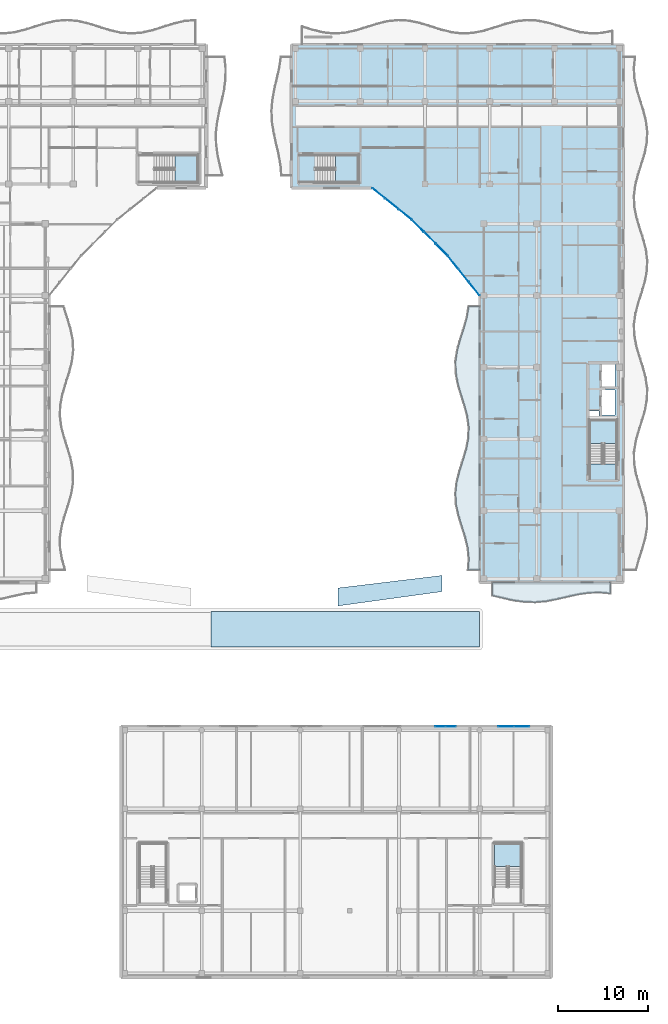
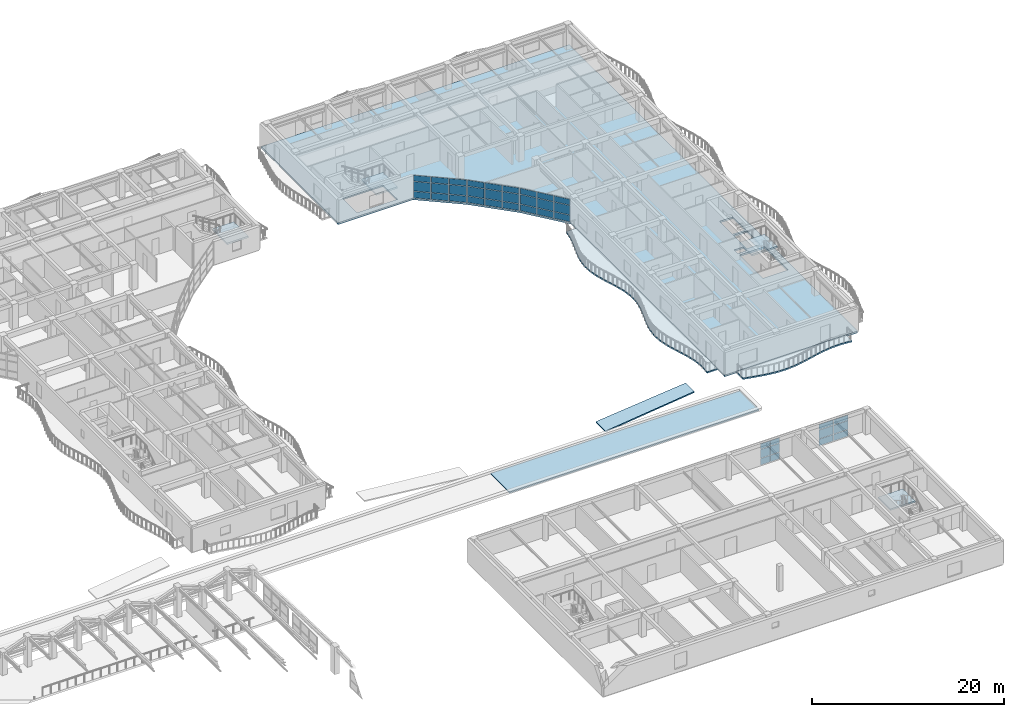
# One storey, part 77 of 128: 39 plates, 9 slabs, 9 elements without a shape of their own.
"""IFC4 building model written with IfcOpenShell, lengths in metres."""

import ifcopenshell
import ifcopenshell.guid

model = None  # the IFC model being written
_history = None  # IfcOwnerHistory: only IFC2X3 demands one
_inside = {}  # id of a spatial element -> (the spatial element, [elements in it])
_under = {}  # id of a project, library or spatial element -> (it, [spatial elements below it])
_declared = {}  # id of a project -> (the project, [libraries it declares])
_typed = {}  # id of a type object -> (the type object, [elements of that type])
_made_of = {}  # id of a material, layer set ... -> (it, [elements and type objects made of it])


def new_model(schema):
    """Start an empty IFC model of exactly this schema.

    Asked for "IFC4X3", IfcOpenShell would pick the latest addendum, in which some entities
    have other attributes; the version numbers below select the first issue.
    IFC2X3 requires an IfcOwnerHistory on every rooted entity: one is made here for all.
    """
    global model, _history
    if schema == "IFC4X3":
        model = ifcopenshell.file(schema_version=(4, 3, 0, 0))
    else:
        model = ifcopenshell.file(schema=schema)
    _inside.clear()
    _under.clear()
    _declared.clear()
    _typed.clear()
    _made_of.clear()
    _history = None
    if model.schema == "IFC2X3":
        org = make("IfcOrganization", Name="unknown")
        user = make(
            "IfcPersonAndOrganization",
            ThePerson=make("IfcPerson", FamilyName="unknown"),
            TheOrganization=org,
        )
        app = make(
            "IfcApplication",
            ApplicationDeveloper=org,
            Version="unknown",
            ApplicationFullName="unknown",
            ApplicationIdentifier="unknown",
        )
        _history = make(
            "IfcOwnerHistory",
            OwningUser=user,
            OwningApplication=app,
            ChangeAction="ADDED",
            CreationDate=0,
        )
    return model


def make(cls, **values):
    """One entity of the class cls with the attributes given. An attribute that is None is left unset."""
    return model.create_entity(
        cls, **{name: value for name, value in values.items() if value is not None}
    )


def rooted(cls, **values):
    """An entity with a GlobalId (a new one), such as an element, a storey or a relation."""
    return make(cls, GlobalId=ifcopenshell.guid.new(), OwnerHistory=_history, **values)


def si_unit(unit_type, name, prefix=None):
    """IfcSIUnit, for example si_unit("LENGTHUNIT", "METRE", prefix="MILLI")."""
    return make("IfcSIUnit", UnitType=unit_type, Prefix=prefix, Name=name)


def assignment(units):
    """IfcUnitAssignment: the units of a project."""
    return None if units is None else make("IfcUnitAssignment", Units=units)


def point(xyz):
    """IfcCartesianPoint."""
    return None if xyz is None else make("IfcCartesianPoint", Coordinates=xyz)


def direction(xyz):
    """IfcDirection."""
    return None if xyz is None else make("IfcDirection", DirectionRatios=xyz)


def frame(location, z_axis=None, x_axis=None):
    """IfcAxis2Placement3D, a coordinate frame: its origin and axes. An axis left out is left unset."""
    return make(
        "IfcAxis2Placement3D",
        Location=point(location),
        Axis=direction(z_axis),
        RefDirection=direction(x_axis),
    )


def frame_2d(location, x_axis=None):
    """IfcAxis2Placement2D, a coordinate frame in the plane: its origin and x axis."""
    return make(
        "IfcAxis2Placement2D", Location=point(location), RefDirection=direction(x_axis)
    )


def origin():
    """The frame at (0, 0, 0) with its axes left unset."""
    return frame((0.0, 0.0, 0.0))


def origin_2d():
    """The frame at (0, 0) in the plane with its x axis left unset."""
    return frame_2d((0.0, 0.0))


def place(relative_to, where):
    """IfcLocalPlacement: puts the frame where relative to a parent placement (None: the world)."""
    return make(
        "IfcLocalPlacement", PlacementRelTo=relative_to, RelativePlacement=where
    )


def context(
    kind, dimensions, precision=None, world=None, true_north=None, identifier=None
):
    """IfcGeometricRepresentationContext, for example the 3D "Model" context."""
    return make(
        "IfcGeometricRepresentationContext",
        ContextIdentifier=identifier,
        ContextType=kind,
        CoordinateSpaceDimension=dimensions,
        Precision=precision,
        WorldCoordinateSystem=world,
        TrueNorth=true_north,
    )


def subcontext(parent, identifier, kind, view, scale=None):
    """IfcGeometricRepresentationSubContext, for example "Body" below "Model"."""
    return make(
        "IfcGeometricRepresentationSubContext",
        ContextIdentifier=identifier,
        ContextType=kind,
        ParentContext=parent,
        TargetScale=scale,
        TargetView=view,
    )


def project(units=None, contexts=None):
    """IfcProject with its units and contexts."""
    return rooted(
        "IfcProject",
        Name="project",
        RepresentationContexts=contexts,
        UnitsInContext=assignment(units),
    )


def spatial(cls, under=None, at=None, **own):
    """A site, building, storey or space (cls), placed at a placement, below another one or the project."""
    s = rooted(cls, ObjectPlacement=at, **own)
    if under is not None:
        _under.setdefault(under.id(), (under, []))[1].append(s)
    return s


def polyline(points):
    """IfcPolyline through the points."""
    return make("IfcPolyline", Points=[point(p) for p in points])


def profile(cls, at=None, kind="AREA", **sizes):
    """A parametric profile (cls). Its sizes go by their IFC names, for example OverallWidth=200.0."""
    return make(cls, ProfileType=kind, Position=at, **sizes)


def rectangle(**sizes):
    """IfcRectangleProfileDef."""
    return profile("IfcRectangleProfileDef", **sizes)


def outline(outer, holes=None, kind="AREA"):
    """IfcArbitraryClosedProfileDef: a profile drawn as a closed curve; with holes, ...WithVoids."""
    if holes is None:
        return make("IfcArbitraryClosedProfileDef", ProfileType=kind, OuterCurve=outer)
    return make(
        "IfcArbitraryProfileDefWithVoids",
        ProfileType=kind,
        OuterCurve=outer,
        InnerCurves=holes,
    )


def extrude(swept, where, along, depth):
    """IfcExtrudedAreaSolid: the profile swept, set in the frame where, extruded along a direction by depth."""
    return make(
        "IfcExtrudedAreaSolid",
        SweptArea=swept,
        Position=where,
        ExtrudedDirection=direction(along),
        Depth=depth,
    )


def shape(context_of_items, identifier, shape_type, items):
    """IfcShapeRepresentation: the items that make up one representation, for example the "Body"."""
    return make(
        "IfcShapeRepresentation",
        ContextOfItems=context_of_items,
        RepresentationIdentifier=identifier,
        RepresentationType=shape_type,
        Items=items,
    )


def material(Name=None, Category=None):
    """IfcMaterial."""
    return make("IfcMaterial", Name=Name, Category=Category)


def layer(
    of_material, thickness, ventilated=None, Name=None, Category=None, Priority=None
):
    """IfcMaterialLayer: one layer of a wall or slab, of a material (None: an air gap)."""
    return make(
        "IfcMaterialLayer",
        Material=of_material,
        LayerThickness=thickness,
        IsVentilated=ventilated,
        Name=Name,
        Category=Category,
        Priority=Priority,
    )


def layer_set(layers, Name=None):
    """IfcMaterialLayerSet."""
    return make("IfcMaterialLayerSet", MaterialLayers=layers, LayerSetName=Name)


def made_of(thing, what):
    """Note that an element or type object is made of a material, layer set ...; save() writes the relation."""
    if what is not None:
        _made_of.setdefault(what.id(), (what, []))[1].append(thing)
    return thing


def type_object(cls, material=None, **own):
    """A type object (cls), such as IfcWallType, which elements share."""
    return made_of(rooted(cls, **own), material)


def element(
    cls,
    number,
    at=None,
    inside=None,
    cuts=None,
    type_object=None,
    material=None,
    context=None,
    identifier="Body",
    shape_type=None,
    held_by="IfcProductDefinitionShape",
    body=None,
    shapes=None,
    **own,
):
    """One element of the class cls, such as IfcWall. Its Tag is "e" and its number.

    at: its placement. inside: the storey or other place that contains it. cuts: it is an
    opening in that element (IfcRelVoidsElement). A single representation is given by context,
    identifier, shape_type and body (its items); several are given by shapes. held_by: the class
    of the entity that holds the representations. save() writes the other relations.
    """
    e = rooted(cls, Tag="e%d" % number, ObjectPlacement=at, **own)
    if body is not None:
        shapes = [shape(context, identifier, shape_type, body)]
    if shapes is not None:
        e.Representation = make(held_by, Representations=shapes)
    if inside is not None:
        _inside.setdefault(inside.id(), (inside, []))[1].append(e)
    if cuts is not None:
        rooted(
            "IfcRelVoidsElement", RelatingBuildingElement=cuts, RelatedOpeningElement=e
        )
    if type_object is not None:
        _typed.setdefault(type_object.id(), (type_object, []))[1].append(e)
    return made_of(e, material)


def aggregate(whole, parts):
    """IfcRelAggregates: a whole, such as a stair, and the parts it consists of."""
    return rooted("IfcRelAggregates", RelatingObject=whole, RelatedObjects=parts)


def save(model, path):
    """Write the relations noted so far, then the file.

    IfcRelAggregates (storeys below a building ...), IfcRelContainedInSpatialStructure (elements
    in a storey), IfcRelDefinesByType, IfcRelAssociatesMaterial and IfcRelDeclares: one each for
    every whole, place, type object, material and project.
    """
    for whole, parts in _under.values():
        aggregate(whole, parts)
    for where, things in _inside.values():
        rooted(
            "IfcRelContainedInSpatialStructure",
            RelatedElements=things,
            RelatingStructure=where,
        )
    for kind, things in _typed.values():
        rooted("IfcRelDefinesByType", RelatedObjects=things, RelatingType=kind)
    for what, things in _made_of.values():
        rooted("IfcRelAssociatesMaterial", RelatedObjects=things, RelatingMaterial=what)
    for by, libraries in _declared.values():
        rooted("IfcRelDeclares", RelatingContext=by, RelatedDefinitions=libraries)
    model.write(path)


model = new_model("IFC4")

# Units and contexts
model_context = context("Model", 3, precision=1e-05, world=origin(), true_north=direction((0.0, 1.0)))
body_context = subcontext(model_context, "Body", "Model", "MODEL_VIEW")
ifc_project = project(units=[si_unit("LENGTHUNIT", "METRE"), si_unit("AREAUNIT", "SQUARE_METRE"), si_unit("VOLUMEUNIT", "CUBIC_METRE"), si_unit("PLANEANGLEUNIT", "RADIAN"), si_unit("MASSUNIT", "GRAM", prefix="KILO")], contexts=[model_context])

# Site, building, storey
site_placement = place(None, origin())
site = spatial("IfcSite", under=ifc_project, at=site_placement, CompositionType="ELEMENT")
building_placement = place(site_placement, origin())
building = spatial("IfcBuilding", under=site, at=building_placement, Name="Keldmere Railside Commons", CompositionType="ELEMENT")
storey_placement = place(building_placement, frame((0.0, 0.0, 4.159912109375)))
storey = spatial("IfcBuildingStorey", under=building, at=storey_placement, Name="L01", CompositionType="ELEMENT", Elevation=4.159912109375)

# Curtain wall, plates
ifc_material_1 = material(Name="Thermally Broken Aluminium", Category="aluminium")
ifc_layer_1 = layer(ifc_material_1, 0.159912109375, Name="Market Arcade Upper Gallery CW 3600x2800")
ifc_layer_set_1 = layer_set([ifc_layer_1], Name="Thermally Broken Aluminium")
curtain_wall_type_1 = type_object("IfcCurtainWallType", Name="Market Arcade Upper Gallery CW 3600x2800", PredefinedType="NOTDEFINED", material=ifc_layer_set_1)
curtain_wall_1_placement = place(storey_placement, origin())
curtain_wall_1 = element("IfcCurtainWall", 1, at=curtain_wall_1_placement, inside=storey, type_object=curtain_wall_type_1, Name="CW-03 CW-L01-223", PredefinedType="NOTDEFINED")
ifc_material_2 = material(Name="Low-E Insulated Double Glazing", Category="glass")
ifc_layer_2 = layer(ifc_material_2, 0.033935546875, Name="Acoustic Laminated Vision Panel 34")
ifc_layer_set_2 = layer_set([ifc_layer_2], Name="Low-E Insulated Double Glazing")
plate_type_1 = type_object("IfcPlateType", Name="Acoustic Laminated Vision Panel 34", PredefinedType="CURTAIN_PANEL", material=ifc_layer_set_2)
plate_1_placement = place(storey_placement, frame((170.916259765625, 39.949951171875, 0.06494140625), z_axis=(0.0, 0.0, 1.0), x_axis=(1.0, 0.0, 0.0)))
plate_1 = element("IfcPlate", 2, at=plate_1_placement, type_object=plate_type_1, Name="CW-03 panel 1.1", PredefinedType="CURTAIN_PANEL", context=body_context, shape_type="SweptSolid", body=[
    extrude(rectangle(XDim=1.702392578125, YDim=0.033935546875, at=origin_2d()), origin(), (0.0, 0.0, 1.0), 0.802490234375),
])
plate_2_placement = place(storey_placement, frame((170.916259765625, 39.949951171875, 0.9326171875), z_axis=(0.0, 0.0, 1.0), x_axis=(1.0, 0.0, 0.0)))
plate_2 = element("IfcPlate", 3, at=plate_2_placement, type_object=plate_type_1, Name="CW-03 panel 1.2", PredefinedType="CURTAIN_PANEL", context=body_context, shape_type="SweptSolid", body=[
    extrude(rectangle(XDim=1.702392578125, YDim=0.033935546875, at=origin_2d()), origin(), (0.0, 0.0, 1.0), 1.0849609375),
])
plate_3_placement = place(storey_placement, frame((170.916259765625, 39.949951171875, 2.08251953125), z_axis=(0.0, 0.0, 1.0), x_axis=(1.0, 0.0, 0.0)))
plate_3 = element("IfcPlate", 4, at=plate_3_placement, type_object=plate_type_1, Name="CW-03 panel 1.3", PredefinedType="CURTAIN_PANEL", context=body_context, shape_type="SweptSolid", body=[
    extrude(rectangle(XDim=1.702392578125, YDim=0.033935546875, at=origin_2d()), origin(), (0.0, 0.0, 1.0), 0.652587890625),
])
plate_4_placement = place(storey_placement, frame((172.683837890625, 39.949951171875, 0.06494140625), z_axis=(0.0, 0.0, 1.0), x_axis=(1.0, 0.0, 0.0)))
plate_4 = element("IfcPlate", 5, at=plate_4_placement, type_object=plate_type_1, Name="CW-03 panel 2.1", PredefinedType="CURTAIN_PANEL", context=body_context, shape_type="SweptSolid", body=[
    extrude(rectangle(XDim=1.702392578125, YDim=0.033935546875, at=origin_2d()), origin(), (0.0, 0.0, 1.0), 0.802490234375),
])
plate_5_placement = place(storey_placement, frame((172.683837890625, 39.949951171875, 0.9326171875), z_axis=(0.0, 0.0, 1.0), x_axis=(1.0, 0.0, 0.0)))
plate_5 = element("IfcPlate", 6, at=plate_5_placement, type_object=plate_type_1, Name="CW-03 panel 2.2", PredefinedType="CURTAIN_PANEL", context=body_context, shape_type="SweptSolid", body=[
    extrude(rectangle(XDim=1.702392578125, YDim=0.033935546875, at=origin_2d()), origin(), (0.0, 0.0, 1.0), 1.0849609375),
])
plate_6_placement = place(storey_placement, frame((172.683837890625, 39.949951171875, 2.08251953125), z_axis=(0.0, 0.0, 1.0), x_axis=(1.0, 0.0, 0.0)))
plate_6 = element("IfcPlate", 7, at=plate_6_placement, type_object=plate_type_1, Name="CW-03 panel 2.3", PredefinedType="CURTAIN_PANEL", context=body_context, shape_type="SweptSolid", body=[
    extrude(rectangle(XDim=1.702392578125, YDim=0.033935546875, at=origin_2d()), origin(), (0.0, 0.0, 1.0), 0.652587890625),
])
aggregate(curtain_wall_1, [plate_1, plate_2, plate_3, plate_4, plate_5, plate_6])

# Slabs
ifc_material_3 = material(Name="Concrete H-35 (C35/45)", Category="concrete")
ifc_layer_3 = layer(ifc_material_3, 0.14990234375, Name="Canopy & Headhouse Roof Slab 150")
ifc_layer_set_3 = layer_set([ifc_layer_3], Name="Concrete H-35 (C35/45)")
slab_type_1 = type_object("IfcSlabType", Name="Canopy & Headhouse Roof Slab 150", PredefinedType="ROOF", material=ifc_layer_set_3)
slab_1_placement = place(storey_placement, frame((0.0, 0.0, -0.14990234375)))
element("IfcSlab", 8, at=slab_1_placement, inside=storey, type_object=slab_type_1, Name="RT-3 COLROOF-L01-088", PredefinedType="ROOF", context=body_context, shape_type="SweptSolid", body=[
    extrude(outline(polyline([(168.0, 52.800048828125), (138.030029296875, 52.800048828125), (138.030029296875, 48.800048828125), (168.0, 48.800048828125), (168.0, 52.800048828125)])), origin(), (0.0, 0.0, 1.0), 0.14990234375),
])
slab_2_placement = place(storey_placement, frame((0.0, 0.0, -0.14990234375)))
element("IfcSlab", 9, at=slab_2_placement, inside=storey, type_object=slab_type_1, Name="RT-3 HEXE-R-L01-094", PredefinedType="ROOF", context=body_context, shape_type="SweptSolid", body=[
    extrude(outline(polyline([(152.199951171875, 53.39990234375), (163.800048828125, 55.0), (163.800048828125, 56.800048828125), (152.199951171875, 55.39990234375), (152.199951171875, 53.39990234375)])), origin(), (0.0, 0.0, 1.0), 0.14990234375),
])

# Stair, slab
ifc_material_4 = material(Name="Concrete H-30 (C30/37)", Category="concrete")
stair_type_1 = type_object("IfcStairType", Name="Market Arcade Public Dogleg Stair 1420", PredefinedType="HALF_TURN_STAIR", material=ifc_material_4)
stair_1_placement = place(storey_placement, origin())
stair_1 = element("IfcStair", 10, at=stair_1_placement, inside=storey, type_object=stair_type_1, Name="L01 Market Arcade Escape Stair ST-M2", PredefinedType="HALF_TURN_STAIR")
ifc_layer_4 = layer(ifc_material_4, 0.2099609375, Name="Civic Stair Landing Slab 210")
ifc_layer_set_4 = layer_set([ifc_layer_4], Name="Concrete H-30 (C30/37)")
slab_type_2 = type_object("IfcSlabType", Name="Civic Stair Landing Slab 210", PredefinedType="LANDING", material=ifc_layer_set_4)
slab_3_placement = place(storey_placement, frame((0.0, 0.0, 1.400146484375)))
slab_3 = element("IfcSlab", 11, at=slab_3_placement, type_object=slab_type_2, Name="ST-M2 landing 1", PredefinedType="LANDING", context=body_context, shape_type="SweptSolid", body=[
    extrude(outline(polyline([(172.64990234375, 24.3701171875), (172.64990234375, 26.89990234375), (169.659912109375, 26.89990234375), (169.659912109375, 24.3701171875), (172.64990234375, 24.3701171875)])), origin(), (0.0, 0.0, 1.0), 0.199951171875),
])
aggregate(stair_1, [slab_3])

stair_type_2 = type_object("IfcStairType", Name="Basement Garage Dogleg Escape Stair 1450", PredefinedType="HALF_TURN_STAIR", material=ifc_material_4)
stair_2_placement = place(storey_placement, origin())
stair_2 = element("IfcStair", 12, at=stair_2_placement, inside=storey, type_object=stair_type_2, Name="L01 Block B Secondary Escape Stair 2", PredefinedType="HALF_TURN_STAIR")
ifc_layer_5 = layer(ifc_material_4, 0.199951171875, Name="Enclosed Stair Landing Slab 200")
ifc_layer_set_5 = layer_set([ifc_layer_5], Name="Concrete H-30 (C30/37)")
slab_type_3 = type_object("IfcSlabType", Name="Enclosed Stair Landing Slab 200", PredefinedType="LANDING", material=ifc_layer_set_5)
slab_4_placement = place(storey_placement, frame((0.0, 0.0, 1.400146484375)))
slab_4 = element("IfcSlab", 13, at=slab_4_placement, type_object=slab_type_3, Name="ST-B2 landing 1", PredefinedType="LANDING", context=body_context, shape_type="SweptSolid", body=[
    extrude(outline(polyline([(134.02001953125, 100.60009765625), (136.60009765625, 100.60009765625), (136.60009765625, 103.64990234375), (134.02001953125, 103.64990234375), (134.02001953125, 100.60009765625)])), origin(), (0.0, 0.0, 1.0), 0.199951171875),
])
aggregate(stair_2, [slab_4])

stair_type_3 = type_object("IfcStairType", Name="Residential Core Dogleg Stair 1450", PredefinedType="HALF_TURN_STAIR", material=ifc_material_4)
stair_3_placement = place(storey_placement, origin())
stair_3 = element("IfcStair", 14, at=stair_3_placement, inside=storey, type_object=stair_type_3, Name="L01 Block A Primary Escape Stair 1", PredefinedType="HALF_TURN_STAIR")
slab_5_placement = place(storey_placement, frame((0.0, 0.0, 1.400146484375)))
slab_5 = element("IfcSlab", 15, at=slab_5_placement, type_object=slab_type_3, Name="ST-A1 landing 1", PredefinedType="LANDING", context=body_context, shape_type="SweptSolid", body=[
    extrude(outline(polyline([(183.300048828125, 71.52001953125), (183.300048828125, 74.10009765625), (180.25, 74.10009765625), (180.25, 71.52001953125), (183.300048828125, 71.52001953125)])), origin(), (0.0, 0.0, 1.0), 0.199951171875),
])
aggregate(stair_3, [slab_5])

stair_4_placement = place(storey_placement, origin())
stair_4 = element("IfcStair", 16, at=stair_4_placement, inside=storey, type_object=stair_type_3, Name="L01 Block A Secondary Escape Stair 2", PredefinedType="HALF_TURN_STAIR")
slab_6_placement = place(storey_placement, frame((0.0, 0.0, 1.400146484375)))
slab_6 = element("IfcSlab", 17, at=slab_6_placement, type_object=slab_type_3, Name="ST-A2 landing 1", PredefinedType="LANDING", context=body_context, shape_type="SweptSolid", body=[
    extrude(outline(polyline([(151.919921875, 100.60009765625), (154.5, 100.60009765625), (154.5, 103.64990234375), (151.919921875, 103.64990234375), (151.919921875, 100.60009765625)])), origin(), (0.0, 0.0, 1.0), 0.199951171875),
])
aggregate(stair_4, [slab_6])

# Curtain wall, plates
ifc_layer_6 = layer(ifc_material_1, 0.159912109375, Name="Court Chord Wintergarden CW 5400x2850")
ifc_layer_set_6 = layer_set([ifc_layer_6], Name="Thermally Broken Aluminium")
curtain_wall_type_2 = type_object("IfcCurtainWallType", Name="Court Chord Wintergarden CW 5400x2850", PredefinedType="NOTDEFINED", material=ifc_layer_set_6)
curtain_wall_2_placement = place(storey_placement, origin())
curtain_wall_2 = element("IfcCurtainWall", 18, at=curtain_wall_2_placement, inside=storey, type_object=curtain_wall_type_2, Name="CW-13 CW-L01-160", PredefinedType="NOTDEFINED")
ifc_material_5 = material(Name="Insulated Aluminium Spandrel Panel", Category="aluminium")
ifc_layer_7 = layer(ifc_material_5, 0.0439453125, Name="Insulated Ocher Spandrel Panel 44")
ifc_layer_set_7 = layer_set([ifc_layer_7], Name="Insulated Aluminium Spandrel Panel")
plate_type_2 = type_object("IfcPlateType", Name="Insulated Ocher Spandrel Panel 44", PredefinedType="CURTAIN_PANEL", material=ifc_layer_set_7)
plate_7_placement = place(storey_placement, frame((159.678955078125, 97.048583984375, 0.06494140625), z_axis=(0.0, 0.0, 1.0), x_axis=(-0.780009172323, 0.625768080915, 0.0)))
plate_7 = element("IfcPlate", 19, at=plate_7_placement, type_object=plate_type_2, Name="CW-13 panel 1.1", PredefinedType="CURTAIN_PANEL", context=body_context, shape_type="SweptSolid", body=[
    extrude(rectangle(XDim=1.795654296875, YDim=0.0439453125, at=origin_2d()), origin(), (0.0, 0.0, 1.0), 0.802490234375),
])
plate_8_placement = place(storey_placement, frame((159.678955078125, 97.048583984375, 0.9326171875), z_axis=(0.0, 0.0, 1.0), x_axis=(-0.780009172323, 0.625768080915, 0.0)))
plate_8 = element("IfcPlate", 20, at=plate_8_placement, type_object=plate_type_2, Name="CW-13 panel 1.2", PredefinedType="CURTAIN_PANEL", context=body_context, shape_type="SweptSolid", body=[
    extrude(rectangle(XDim=1.795654296875, YDim=0.0439453125, at=origin_2d()), origin(), (0.0, 0.0, 1.0), 1.18505859375),
])
plate_9_placement = place(storey_placement, frame((159.678955078125, 97.048583984375, 2.1826171875), z_axis=(0.0, 0.0, 1.0), x_axis=(-0.780009172323, 0.625768080915, 0.0)))
plate_9 = element("IfcPlate", 21, at=plate_9_placement, type_object=plate_type_2, Name="CW-13 panel 1.3", PredefinedType="CURTAIN_PANEL", context=body_context, shape_type="SweptSolid", body=[
    extrude(rectangle(XDim=1.795654296875, YDim=0.0439453125, at=origin_2d()), origin(), (0.0, 0.0, 1.0), 0.732421875),
])
plate_10_placement = place(storey_placement, frame((158.215087890625, 98.222900390625, 0.06494140625), z_axis=(0.0, 0.0, 1.0), x_axis=(-0.780009172323, 0.625768080915, 0.0)))
plate_10 = element("IfcPlate", 22, at=plate_10_placement, type_object=plate_type_2, Name="CW-13 panel 2.1", PredefinedType="CURTAIN_PANEL", context=body_context, shape_type="SweptSolid", body=[
    extrude(rectangle(XDim=1.828125, YDim=0.0439453125, at=origin_2d()), origin(), (0.0, 0.0, 1.0), 0.802490234375),
])
plate_11_placement = place(storey_placement, frame((158.215087890625, 98.222900390625, 0.9326171875), z_axis=(0.0, 0.0, 1.0), x_axis=(-0.780009172323, 0.625768080915, 0.0)))
plate_11 = element("IfcPlate", 23, at=plate_11_placement, type_object=plate_type_2, Name="CW-13 panel 2.2", PredefinedType="CURTAIN_PANEL", context=body_context, shape_type="SweptSolid", body=[
    extrude(rectangle(XDim=1.828125, YDim=0.0439453125, at=origin_2d()), origin(), (0.0, 0.0, 1.0), 1.18505859375),
])
plate_12_placement = place(storey_placement, frame((158.215087890625, 98.222900390625, 2.1826171875), z_axis=(0.0, 0.0, 1.0), x_axis=(-0.780009172323, 0.625768080915, 0.0)))
plate_12 = element("IfcPlate", 24, at=plate_12_placement, type_object=plate_type_2, Name="CW-13 panel 2.3", PredefinedType="CURTAIN_PANEL", context=body_context, shape_type="SweptSolid", body=[
    extrude(rectangle(XDim=1.828125, YDim=0.0439453125, at=origin_2d()), origin(), (0.0, 0.0, 1.0), 0.732421875),
])
plate_13_placement = place(storey_placement, frame((156.7509765625, 99.3974609375, 0.06494140625), z_axis=(0.0, 0.0, 1.0), x_axis=(-0.780009172323, 0.625768080915, 0.0)))
plate_13 = element("IfcPlate", 25, at=plate_13_placement, type_object=plate_type_2, Name="CW-13 panel 3.1", PredefinedType="CURTAIN_PANEL", context=body_context, shape_type="SweptSolid", body=[
    extrude(rectangle(XDim=1.795654296875, YDim=0.0439453125, at=origin_2d()), origin(), (0.0, 0.0, 1.0), 0.802490234375),
])
plate_14_placement = place(storey_placement, frame((156.7509765625, 99.3974609375, 0.9326171875), z_axis=(0.0, 0.0, 1.0), x_axis=(-0.780009172323, 0.625768080915, 0.0)))
plate_14 = element("IfcPlate", 26, at=plate_14_placement, type_object=plate_type_2, Name="CW-13 panel 3.2", PredefinedType="CURTAIN_PANEL", context=body_context, shape_type="SweptSolid", body=[
    extrude(rectangle(XDim=1.795654296875, YDim=0.0439453125, at=origin_2d()), origin(), (0.0, 0.0, 1.0), 1.18505859375),
])
plate_15_placement = place(storey_placement, frame((156.7509765625, 99.3974609375, 2.1826171875), z_axis=(0.0, 0.0, 1.0), x_axis=(-0.780009172323, 0.625768080915, 0.0)))
plate_15 = element("IfcPlate", 27, at=plate_15_placement, type_object=plate_type_2, Name="CW-13 panel 3.3", PredefinedType="CURTAIN_PANEL", context=body_context, shape_type="SweptSolid", body=[
    extrude(rectangle(XDim=1.795654296875, YDim=0.0439453125, at=origin_2d()), origin(), (0.0, 0.0, 1.0), 0.732421875),
])
aggregate(curtain_wall_2, [plate_7, plate_8, plate_9, plate_10, plate_11, plate_12, plate_13, plate_14, plate_15])

curtain_wall_3_placement = place(storey_placement, origin())
curtain_wall_3 = element("IfcCurtainWall", 28, at=curtain_wall_3_placement, inside=storey, type_object=curtain_wall_type_2, Name="CW-13 CW-L01-162", PredefinedType="NOTDEFINED")
plate_16_placement = place(storey_placement, frame((167.3974609375, 88.7509765625, 0.06494140625), z_axis=(0.0, 0.0, 1.0), x_axis=(-0.625768080915, 0.780009172323, 0.0)))
plate_16 = element("IfcPlate", 29, at=plate_16_placement, type_object=plate_type_2, Name="CW-13 panel 1.1", PredefinedType="CURTAIN_PANEL", context=body_context, shape_type="SweptSolid", body=[
    extrude(rectangle(XDim=1.795654296875, YDim=0.0439453125, at=origin_2d()), origin(), (0.0, 0.0, 1.0), 0.802490234375),
])
plate_17_placement = place(storey_placement, frame((167.3974609375, 88.7509765625, 0.9326171875), z_axis=(0.0, 0.0, 1.0), x_axis=(-0.625768080915, 0.780009172323, 0.0)))
plate_17 = element("IfcPlate", 30, at=plate_17_placement, type_object=plate_type_2, Name="CW-13 panel 1.2", PredefinedType="CURTAIN_PANEL", context=body_context, shape_type="SweptSolid", body=[
    extrude(rectangle(XDim=1.795654296875, YDim=0.0439453125, at=origin_2d()), origin(), (0.0, 0.0, 1.0), 1.18505859375),
])
plate_18_placement = place(storey_placement, frame((167.3974609375, 88.7509765625, 2.1826171875), z_axis=(0.0, 0.0, 1.0), x_axis=(-0.625768080915, 0.780009172323, 0.0)))
plate_18 = element("IfcPlate", 31, at=plate_18_placement, type_object=plate_type_2, Name="CW-13 panel 1.3", PredefinedType="CURTAIN_PANEL", context=body_context, shape_type="SweptSolid", body=[
    extrude(rectangle(XDim=1.795654296875, YDim=0.0439453125, at=origin_2d()), origin(), (0.0, 0.0, 1.0), 0.732421875),
])
plate_19_placement = place(storey_placement, frame((166.222900390625, 90.215087890625, 0.06494140625), z_axis=(0.0, 0.0, 1.0), x_axis=(-0.625768080915, 0.780009172323, 0.0)))
plate_19 = element("IfcPlate", 32, at=plate_19_placement, type_object=plate_type_2, Name="CW-13 panel 2.1", PredefinedType="CURTAIN_PANEL", context=body_context, shape_type="SweptSolid", body=[
    extrude(rectangle(XDim=1.828125, YDim=0.0439453125, at=origin_2d()), origin(), (0.0, 0.0, 1.0), 0.802490234375),
])
plate_20_placement = place(storey_placement, frame((166.222900390625, 90.215087890625, 0.9326171875), z_axis=(0.0, 0.0, 1.0), x_axis=(-0.625768080915, 0.780009172323, 0.0)))
plate_20 = element("IfcPlate", 33, at=plate_20_placement, type_object=plate_type_2, Name="CW-13 panel 2.2", PredefinedType="CURTAIN_PANEL", context=body_context, shape_type="SweptSolid", body=[
    extrude(rectangle(XDim=1.828125, YDim=0.0439453125, at=origin_2d()), origin(), (0.0, 0.0, 1.0), 1.18505859375),
])
plate_21_placement = place(storey_placement, frame((166.222900390625, 90.215087890625, 2.1826171875), z_axis=(0.0, 0.0, 1.0), x_axis=(-0.625768080915, 0.780009172323, 0.0)))
plate_21 = element("IfcPlate", 34, at=plate_21_placement, type_object=plate_type_2, Name="CW-13 panel 2.3", PredefinedType="CURTAIN_PANEL", context=body_context, shape_type="SweptSolid", body=[
    extrude(rectangle(XDim=1.828125, YDim=0.0439453125, at=origin_2d()), origin(), (0.0, 0.0, 1.0), 0.732421875),
])
plate_22_placement = place(storey_placement, frame((165.048583984375, 91.678955078125, 0.06494140625), z_axis=(0.0, 0.0, 1.0), x_axis=(-0.625768080915, 0.780009172323, 0.0)))
plate_22 = element("IfcPlate", 35, at=plate_22_placement, type_object=plate_type_2, Name="CW-13 panel 3.1", PredefinedType="CURTAIN_PANEL", context=body_context, shape_type="SweptSolid", body=[
    extrude(rectangle(XDim=1.795654296875, YDim=0.0439453125, at=origin_2d()), origin(), (0.0, 0.0, 1.0), 0.802490234375),
])
plate_23_placement = place(storey_placement, frame((165.048583984375, 91.678955078125, 0.9326171875), z_axis=(0.0, 0.0, 1.0), x_axis=(-0.625768080915, 0.780009172323, 0.0)))
plate_23 = element("IfcPlate", 36, at=plate_23_placement, type_object=plate_type_2, Name="CW-13 panel 3.2", PredefinedType="CURTAIN_PANEL", context=body_context, shape_type="SweptSolid", body=[
    extrude(rectangle(XDim=1.795654296875, YDim=0.0439453125, at=origin_2d()), origin(), (0.0, 0.0, 1.0), 1.18505859375),
])
plate_24_placement = place(storey_placement, frame((165.048583984375, 91.678955078125, 2.1826171875), z_axis=(0.0, 0.0, 1.0), x_axis=(-0.625768080915, 0.780009172323, 0.0)))
plate_24 = element("IfcPlate", 37, at=plate_24_placement, type_object=plate_type_2, Name="CW-13 panel 3.3", PredefinedType="CURTAIN_PANEL", context=body_context, shape_type="SweptSolid", body=[
    extrude(rectangle(XDim=1.795654296875, YDim=0.0439453125, at=origin_2d()), origin(), (0.0, 0.0, 1.0), 0.732421875),
])
aggregate(curtain_wall_3, [plate_16, plate_17, plate_18, plate_19, plate_20, plate_21, plate_22, plate_23, plate_24])

ifc_layer_8 = layer(ifc_material_1, 0.159912109375, Name="Court Chord Wintergarden CW 4800x2850")
ifc_layer_set_8 = layer_set([ifc_layer_8], Name="Thermally Broken Aluminium")
curtain_wall_type_3 = type_object("IfcCurtainWallType", Name="Court Chord Wintergarden CW 4800x2850", PredefinedType="NOTDEFINED", material=ifc_layer_set_8)
curtain_wall_4_placement = place(storey_placement, origin())
curtain_wall_4 = element("IfcCurtainWall", 38, at=curtain_wall_4_placement, inside=storey, type_object=curtain_wall_type_3, Name="CW-12 CW-L01-161", PredefinedType="NOTDEFINED")
ifc_layer_9 = layer(ifc_material_5, 0.050048828125, Name="Insulated Terracotta Spandrel Panel 50")
ifc_layer_set_9 = layer_set([ifc_layer_9], Name="Insulated Aluminium Spandrel Panel")
plate_type_3 = type_object("IfcPlateType", Name="Insulated Terracotta Spandrel Panel 50", PredefinedType="CURTAIN_PANEL", material=ifc_layer_set_9)
plate_25_placement = place(storey_placement, frame((163.76513671875, 93.11083984375, 0.06494140625), z_axis=(0.0, 0.0, 1.0), x_axis=(-0.707106781187, 0.707106781187, 0.0)))
plate_25 = element("IfcPlate", 39, at=plate_25_placement, type_object=plate_type_3, Name="CW-12 panel 1.1", PredefinedType="CURTAIN_PANEL", context=body_context, shape_type="SweptSolid", body=[
    extrude(rectangle(XDim=1.795654296875, YDim=0.050048828125, at=origin_2d()), origin(), (0.0, 0.0, 1.0), 0.802490234375),
])
plate_26_placement = place(storey_placement, frame((163.76513671875, 93.11083984375, 0.9326171875), z_axis=(0.0, 0.0, 1.0), x_axis=(-0.707106781187, 0.707106781187, 0.0)))
plate_26 = element("IfcPlate", 40, at=plate_26_placement, type_object=plate_type_3, Name="CW-12 panel 1.2", PredefinedType="CURTAIN_PANEL", context=body_context, shape_type="SweptSolid", body=[
    extrude(rectangle(XDim=1.795654296875, YDim=0.050048828125, at=origin_2d()), origin(), (0.0, 0.0, 1.0), 1.18505859375),
])
plate_27_placement = place(storey_placement, frame((163.76513671875, 93.11083984375, 2.1826171875), z_axis=(0.0, 0.0, 1.0), x_axis=(-0.707106781187, 0.707106781187, 0.0)))
plate_27 = element("IfcPlate", 41, at=plate_27_placement, type_object=plate_type_3, Name="CW-12 panel 1.3", PredefinedType="CURTAIN_PANEL", context=body_context, shape_type="SweptSolid", body=[
    extrude(rectangle(XDim=1.795654296875, YDim=0.050048828125, at=origin_2d()), origin(), (0.0, 0.0, 1.0), 0.732421875),
])
plate_28_placement = place(storey_placement, frame((162.43798828125, 94.43798828125, 0.06494140625), z_axis=(0.0, 0.0, 1.0), x_axis=(-0.707106781187, 0.707106781187, 0.0)))
plate_28 = element("IfcPlate", 42, at=plate_28_placement, type_object=plate_type_3, Name="CW-12 panel 2.1", PredefinedType="CURTAIN_PANEL", context=body_context, shape_type="SweptSolid", body=[
    extrude(rectangle(XDim=1.828125, YDim=0.050048828125, at=origin_2d()), origin(), (0.0, 0.0, 1.0), 0.802490234375),
])
plate_29_placement = place(storey_placement, frame((162.43798828125, 94.43798828125, 0.9326171875), z_axis=(0.0, 0.0, 1.0), x_axis=(-0.707106781187, 0.707106781187, 0.0)))
plate_29 = element("IfcPlate", 43, at=plate_29_placement, type_object=plate_type_3, Name="CW-12 panel 2.2", PredefinedType="CURTAIN_PANEL", context=body_context, shape_type="SweptSolid", body=[
    extrude(rectangle(XDim=1.828125, YDim=0.050048828125, at=origin_2d()), origin(), (0.0, 0.0, 1.0), 1.18505859375),
])
plate_30_placement = place(storey_placement, frame((162.43798828125, 94.43798828125, 2.1826171875), z_axis=(0.0, 0.0, 1.0), x_axis=(-0.707106781187, 0.707106781187, 0.0)))
plate_30 = element("IfcPlate", 44, at=plate_30_placement, type_object=plate_type_3, Name="CW-12 panel 2.3", PredefinedType="CURTAIN_PANEL", context=body_context, shape_type="SweptSolid", body=[
    extrude(rectangle(XDim=1.828125, YDim=0.050048828125, at=origin_2d()), origin(), (0.0, 0.0, 1.0), 0.732421875),
])
plate_31_placement = place(storey_placement, frame((161.11083984375, 95.76513671875, 0.06494140625), z_axis=(0.0, 0.0, 1.0), x_axis=(-0.707106781187, 0.707106781187, 0.0)))
plate_31 = element("IfcPlate", 45, at=plate_31_placement, type_object=plate_type_3, Name="CW-12 panel 3.1", PredefinedType="CURTAIN_PANEL", context=body_context, shape_type="SweptSolid", body=[
    extrude(rectangle(XDim=1.795654296875, YDim=0.050048828125, at=origin_2d()), origin(), (0.0, 0.0, 1.0), 0.802490234375),
])
plate_32_placement = place(storey_placement, frame((161.11083984375, 95.76513671875, 0.9326171875), z_axis=(0.0, 0.0, 1.0), x_axis=(-0.707106781187, 0.707106781187, 0.0)))
plate_32 = element("IfcPlate", 46, at=plate_32_placement, type_object=plate_type_3, Name="CW-12 panel 3.2", PredefinedType="CURTAIN_PANEL", context=body_context, shape_type="SweptSolid", body=[
    extrude(rectangle(XDim=1.795654296875, YDim=0.050048828125, at=origin_2d()), origin(), (0.0, 0.0, 1.0), 1.18505859375),
])
plate_33_placement = place(storey_placement, frame((161.11083984375, 95.76513671875, 2.1826171875), z_axis=(0.0, 0.0, 1.0), x_axis=(-0.707106781187, 0.707106781187, 0.0)))
plate_33 = element("IfcPlate", 47, at=plate_33_placement, type_object=plate_type_3, Name="CW-12 panel 3.3", PredefinedType="CURTAIN_PANEL", context=body_context, shape_type="SweptSolid", body=[
    extrude(rectangle(XDim=1.795654296875, YDim=0.050048828125, at=origin_2d()), origin(), (0.0, 0.0, 1.0), 0.732421875),
])
aggregate(curtain_wall_4, [plate_25, plate_26, plate_27, plate_28, plate_29, plate_30, plate_31, plate_32, plate_33])

ifc_layer_10 = layer(ifc_material_1, 0.159912109375, Name="Stair Tower Daylit Strip CW 2400x2850")
ifc_layer_set_10 = layer_set([ifc_layer_10], Name="Thermally Broken Aluminium")
curtain_wall_type_4 = type_object("IfcCurtainWallType", Name="Stair Tower Daylit Strip CW 2400x2850", PredefinedType="NOTDEFINED", material=ifc_layer_set_10)
curtain_wall_5_placement = place(storey_placement, origin())
curtain_wall_5 = element("IfcCurtainWall", 48, at=curtain_wall_5_placement, inside=storey, type_object=curtain_wall_type_4, Name="CW-18 CW-L01-222", PredefinedType="NOTDEFINED")
ifc_layer_11 = layer(ifc_material_2, 0.028076171875, Name="Low-E Vision Glazing Panel 28")
ifc_layer_set_11 = layer_set([ifc_layer_11], Name="Low-E Insulated Double Glazing")
plate_type_4 = type_object("IfcPlateType", Name="Low-E Vision Glazing Panel 28", PredefinedType="CURTAIN_PANEL", material=ifc_layer_set_11)
plate_34_placement = place(storey_placement, frame((163.6162109375, 39.949951171875, 0.06494140625), z_axis=(0.0, 0.0, 1.0), x_axis=(1.0, 0.0, 0.0)))
plate_34 = element("IfcPlate", 49, at=plate_34_placement, type_object=plate_type_4, Name="CW-18 panel 1.1", PredefinedType="CURTAIN_PANEL", context=body_context, shape_type="SweptSolid", body=[
    extrude(rectangle(XDim=1.1025390625, YDim=0.028076171875, at=origin_2d()), origin(), (0.0, 0.0, 1.0), 0.802490234375),
])
plate_35_placement = place(storey_placement, frame((163.6162109375, 39.949951171875, 0.9326171875), z_axis=(0.0, 0.0, 1.0), x_axis=(1.0, 0.0, 0.0)))
plate_35 = element("IfcPlate", 50, at=plate_35_placement, type_object=plate_type_4, Name="CW-18 panel 1.2", PredefinedType="CURTAIN_PANEL", context=body_context, shape_type="SweptSolid", body=[
    extrude(rectangle(XDim=1.1025390625, YDim=0.028076171875, at=origin_2d()), origin(), (0.0, 0.0, 1.0), 1.0849609375),
])
plate_36_placement = place(storey_placement, frame((163.6162109375, 39.949951171875, 2.08251953125), z_axis=(0.0, 0.0, 1.0), x_axis=(1.0, 0.0, 0.0)))
plate_36 = element("IfcPlate", 51, at=plate_36_placement, type_object=plate_type_4, Name="CW-18 panel 1.3", PredefinedType="CURTAIN_PANEL", context=body_context, shape_type="SweptSolid", body=[
    extrude(rectangle(XDim=1.1025390625, YDim=0.028076171875, at=origin_2d()), origin(), (0.0, 0.0, 1.0), 0.652587890625),
])
plate_37_placement = place(storey_placement, frame((164.78369140625, 39.949951171875, 0.06494140625), z_axis=(0.0, 0.0, 1.0), x_axis=(1.0, 0.0, 0.0)))
plate_37 = element("IfcPlate", 52, at=plate_37_placement, type_object=plate_type_4, Name="CW-18 panel 2.1", PredefinedType="CURTAIN_PANEL", context=body_context, shape_type="SweptSolid", body=[
    extrude(rectangle(XDim=1.1025390625, YDim=0.028076171875, at=origin_2d()), origin(), (0.0, 0.0, 1.0), 0.802490234375),
])
plate_38_placement = place(storey_placement, frame((164.78369140625, 39.949951171875, 0.9326171875), z_axis=(0.0, 0.0, 1.0), x_axis=(1.0, 0.0, 0.0)))
plate_38 = element("IfcPlate", 53, at=plate_38_placement, type_object=plate_type_4, Name="CW-18 panel 2.2", PredefinedType="CURTAIN_PANEL", context=body_context, shape_type="SweptSolid", body=[
    extrude(rectangle(XDim=1.1025390625, YDim=0.028076171875, at=origin_2d()), origin(), (0.0, 0.0, 1.0), 1.0849609375),
])
plate_39_placement = place(storey_placement, frame((164.78369140625, 39.949951171875, 2.08251953125), z_axis=(0.0, 0.0, 1.0), x_axis=(1.0, 0.0, 0.0)))
plate_39 = element("IfcPlate", 54, at=plate_39_placement, type_object=plate_type_4, Name="CW-18 panel 2.3", PredefinedType="CURTAIN_PANEL", context=body_context, shape_type="SweptSolid", body=[
    extrude(rectangle(XDim=1.1025390625, YDim=0.028076171875, at=origin_2d()), origin(), (0.0, 0.0, 1.0), 0.652587890625),
])
aggregate(curtain_wall_5, [plate_34, plate_35, plate_36, plate_37, plate_38, plate_39])

# Slabs
ifc_layer_12 = layer(ifc_material_4, 0.219970703125, Name="Residential Flat Slab 220")
ifc_layer_set_12 = layer_set([ifc_layer_12], Name="Concrete H-30 (C30/37)")
slab_type_4 = type_object("IfcSlabType", Name="Residential Flat Slab 220", PredefinedType="FLOOR", material=ifc_layer_set_12)
slab_7_placement = place(storey_placement, frame((0.0, 0.0, -0.219970703125)))
element("IfcSlab", 55, at=slab_7_placement, inside=storey, type_object=slab_type_4, Name="FS-2 BLKA-L01-054", PredefinedType="FLOOR", context=body_context, shape_type="SweptSolid", body=[
    extrude(outline(polyline([(168.0, 56.0), (184.0, 56.0), (184.0, 116.0), (147.0, 116.0), (147.0, 100.0), (156.0, 100.0), (160.429931640625, 96.446044921875), (164.446044921875, 92.429931640625), (168.0, 88.0), (168.0, 56.0)]), holes=[polyline([(180.27490234375, 69.22509765625), (180.27490234375, 74.074951171875), (183.27490234375, 74.074951171875), (183.27490234375, 69.22509765625), (180.27490234375, 69.22509765625)]), polyline([(181.320068359375, 74.419921875), (180.219970703125, 74.419921875), (180.219970703125, 75.159912109375), (181.320068359375, 75.159912109375), (181.320068359375, 74.419921875)]), polyline([(181.5, 74.699951171875), (181.5, 77.5), (183.10009765625, 77.5), (183.10009765625, 74.699951171875), (181.5, 74.699951171875)]), polyline([(181.5, 77.75), (181.5, 80.39990234375), (183.10009765625, 80.39990234375), (183.10009765625, 77.75), (181.5, 77.75)]), polyline([(149.625, 103.625), (154.47509765625, 103.625), (154.47509765625, 100.625), (149.625, 100.625), (149.625, 103.625)])]), origin(), (0.0, 0.0, 1.0), 0.219970703125),
])
ifc_material_6 = material(Name="White Precast Concrete H-35 (C35/45)", Category="concrete")
ifc_layer_13 = layer(ifc_material_6, 0.179931640625, Name="Sinusoidal Wave Balcony Slab 180")
ifc_layer_set_13 = layer_set([ifc_layer_13], Name="White Precast Concrete H-35 (C35/45)")
slab_type_5 = type_object("IfcSlabType", Name="Sinusoidal Wave Balcony Slab 180", PredefinedType="FLOOR", material=ifc_layer_set_13)
slab_8_placement = place(storey_placement, frame((0.0, 0.0, -0.179931640625)))
element("IfcSlab", 56, at=slab_8_placement, inside=storey, type_object=slab_type_5, Name="WB-1 A L01 CW Wave Balcony", PredefinedType="FLOOR", context=body_context, shape_type="SweptSolid", body=[
    extrude(outline(polyline([(168.0, 57.39990234375), (168.0, 58.625), (168.0, 59.85009765625), (168.0, 61.074951171875), (168.0, 62.300048828125), (168.0, 63.52490234375), (168.0, 64.75), (168.0, 65.97509765625), (168.0, 67.199951171875), (168.0, 68.425048828125), (168.0, 69.64990234375), (168.0, 70.875), (168.0, 72.10009765625), (168.0, 73.324951171875), (168.0, 74.550048828125), (168.0, 75.77490234375), (168.0, 77.0), (168.0, 78.22509765625), (168.0, 79.449951171875), (168.0, 80.675048828125), (168.0, 81.89990234375), (168.0, 83.125), (168.0, 84.35009765625), (168.0, 85.574951171875), (168.0, 86.800048828125), (166.776611328125, 86.800048828125), (166.58056640625, 85.574951171875), (166.236328125, 84.35009765625), (165.84033203125, 83.125), (165.502685546875, 81.89990234375), (165.31787109375, 80.675048828125), (165.337158203125, 79.449951171875), (165.555419921875, 78.22509765625), (165.91162109375, 77.0), (166.306396484375, 75.77490234375), (166.629638671875, 74.550048828125), (166.791259765625, 73.324951171875), (166.74609375, 72.10009765625), (166.5068359375, 70.875), (166.139892578125, 69.64990234375), (165.748046875, 68.425048828125), (165.4404296875, 67.199951171875), (165.302978515625, 65.97509765625), (165.373779296875, 64.75), (165.633056640625, 63.52490234375), (166.0087890625, 62.300048828125), (166.39599609375, 61.074951171875), (166.686767578125, 59.85009765625), (166.7998046875, 58.625), (166.70361328125, 57.39990234375), (168.0, 57.39990234375)])), origin(), (0.0, 0.0, 1.0), 0.179931640625),
])
slab_9_placement = place(storey_placement, frame((0.0, 0.0, -0.179931640625)))
element("IfcSlab", 57, at=slab_9_placement, inside=storey, type_object=slab_type_5, Name="WB-1 A L01 S Wave Balcony", PredefinedType="FLOOR", context=body_context, shape_type="SweptSolid", body=[
    extrude(outline(polyline([(169.39990234375, 54.5556640625), (170.60009765625, 54.27294921875), (171.800048828125, 54.010986328125), (173.0, 53.83984375), (174.199951171875, 53.805419921875), (175.39990234375, 53.9169921875), (176.60009765625, 54.144287109375), (177.800048828125, 54.427001953125), (179.0, 54.68896484375), (180.199951171875, 54.860107421875), (181.39990234375, 54.89453125), (182.60009765625, 54.783203125), (182.60009765625, 56.0), (181.39990234375, 56.0), (180.199951171875, 56.0), (179.0, 56.0), (177.800048828125, 56.0), (176.60009765625, 56.0), (175.39990234375, 56.0), (174.199951171875, 56.0), (173.0, 56.0), (171.800048828125, 56.0), (170.60009765625, 56.0), (169.39990234375, 56.0), (169.39990234375, 54.5556640625)])), origin(), (0.0, 0.0, 1.0), 0.179931640625),
])

save(model, "model.ifc")
